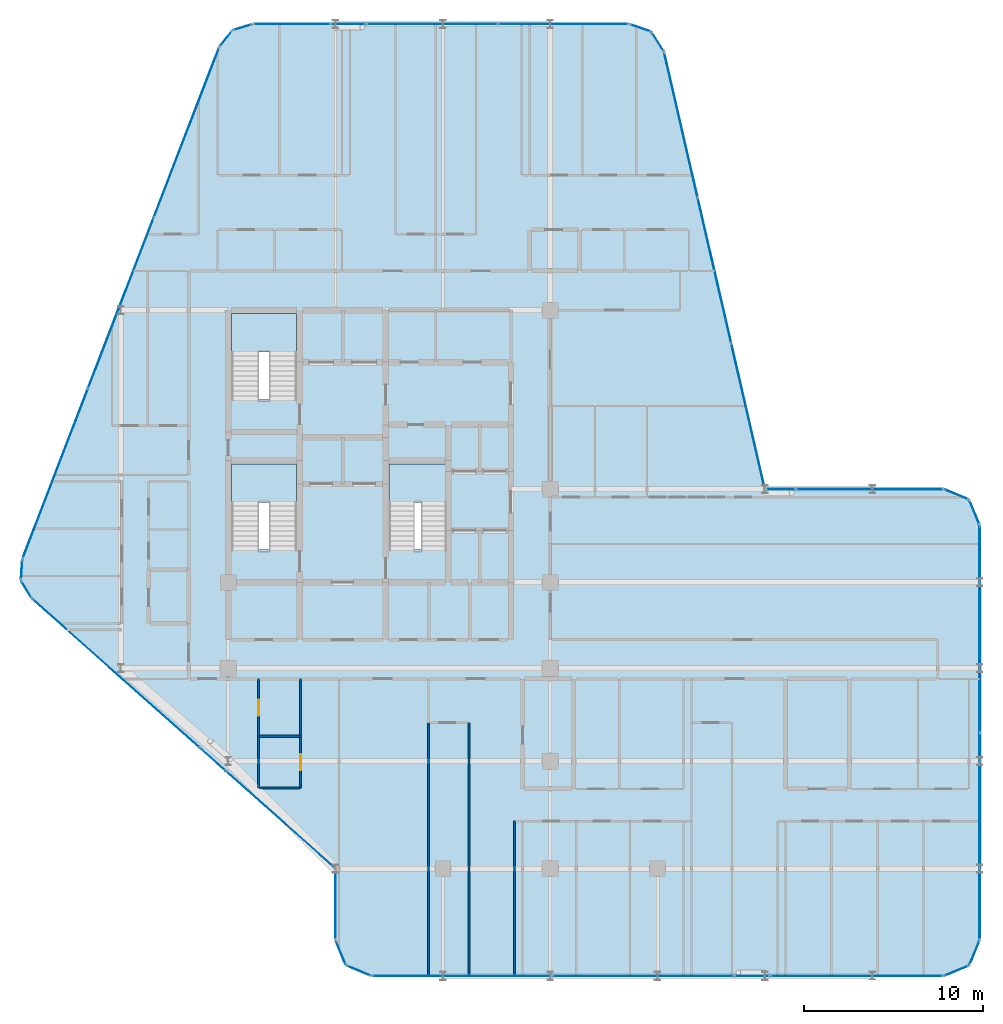
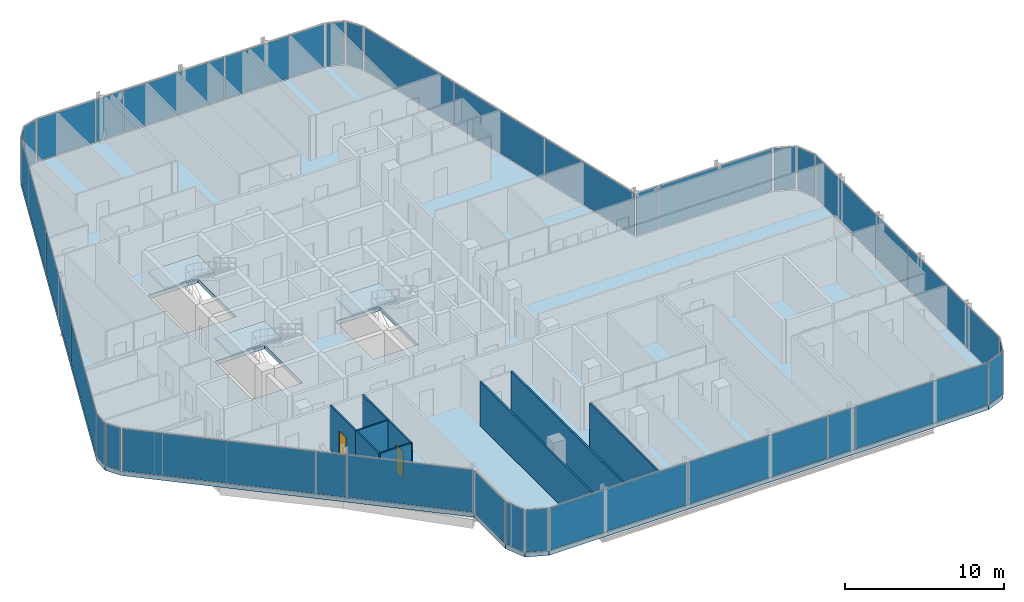
# One storey, part 22 of 29: 34 plates, 9 walls, 4 slabs, 2 doors, 2 openings, 30 elements without a shape of their own.
"""IFC4 building model written with IfcOpenShell, lengths in metres."""

from ifc_helpers import new_model, si_unit, direction, frame, frame_2d, origin, origin_2d, place, context, subcontext, project, spatial, polyline, rectangle, outline, extrude, material, layer, layer_set, type_object, element, fill, aggregate, save


model = new_model("IFC4")

# Units and contexts
model_context = context("Model", 3, precision=1e-05, world=origin(), true_north=direction((0.0, 1.0)))
body_context = subcontext(model_context, "Body", "Model", "MODEL_VIEW")
ifc_project = project(units=[si_unit("LENGTHUNIT", "METRE"), si_unit("AREAUNIT", "SQUARE_METRE"), si_unit("VOLUMEUNIT", "CUBIC_METRE"), si_unit("PLANEANGLEUNIT", "RADIAN"), si_unit("MASSUNIT", "GRAM", prefix="KILO")], contexts=[model_context])

# Site, building, storey
site_placement = place(None, origin())
site = spatial("IfcSite", under=ifc_project, at=site_placement, CompositionType="ELEMENT")
building_placement = place(site_placement, origin())
building = spatial("IfcBuilding", under=site, at=building_placement, Name="Keshet Zoharim Tower", CompositionType="ELEMENT")
storey_placement = place(building_placement, frame((0.0, 0.0, 192.10009765625)))
storey = spatial("IfcBuildingStorey", under=building, at=storey_placement, Name="L47", CompositionType="ELEMENT", Elevation=192.10009765625)

# Curtain wall, plate
ifc_material_1 = material(Name="Aluminium 6063-T6", Category="aluminium")
ifc_layer_1 = layer(ifc_material_1, 0.139892578125)
ifc_layer_set_1 = layer_set([ifc_layer_1], Name="Aluminium 6063-T6")
curtain_wall_type = type_object("IfcCurtainWallType", Name="CW-SYS-05", PredefinedType="NOTDEFINED", material=ifc_layer_set_1)
curtain_wall_1_placement = place(storey_placement, origin())
curtain_wall_1 = element("IfcCurtainWall", 1, at=curtain_wall_1_placement, inside=storey, type_object=curtain_wall_type, Name="L47 Unitised Curtain Wall 01", PredefinedType="NOTDEFINED")
ifc_material_2 = material(Name="Insulated Low-E Clear Glass", Category="glass")
ifc_layer_2 = layer(ifc_material_2, 0.031982421875)
ifc_layer_set_2 = layer_set([ifc_layer_2], Name="Insulated Low-E Clear Glass")
plate_type_1 = type_object("IfcPlateType", Name="CWP-02", PredefinedType="CURTAIN_PANEL", material=ifc_layer_set_2)
plate_1_placement = place(storey_placement, frame((55.70703125, 27.60693359375, 0.06982421875), z_axis=(0.0, 0.0, 1.0), x_axis=(0.92380975372, -0.382851849847, 0.0)))
plate_1 = element("IfcPlate", 2, at=plate_1_placement, type_object=plate_type_1, Name="CW-05 panel 1.1", PredefinedType="CURTAIN_PANEL", context=body_context, shape_type="SweptSolid", body=[
    extrude(rectangle(XDim=1.390625, YDim=0.031982421875, at=origin_2d()), origin(), (0.0, 0.0, 1.0), 3.25),
])
aggregate(curtain_wall_1, [plate_1])

curtain_wall_2_placement = place(storey_placement, origin())
curtain_wall_2 = element("IfcCurtainWall", 3, at=curtain_wall_2_placement, inside=storey, type_object=curtain_wall_type, Name="L47 Unitised Curtain Wall 02", PredefinedType="NOTDEFINED")
plate_2_placement = place(storey_placement, frame((56.70703125, 26.60693359375, 0.06982421875), z_axis=(0.0, 0.0, 1.0), x_axis=(0.382851849847, -0.92380975372, 0.0)))
plate_2 = element("IfcPlate", 4, at=plate_2_placement, type_object=plate_type_1, Name="CW-05 panel 1.1", PredefinedType="CURTAIN_PANEL", context=body_context, shape_type="SweptSolid", body=[
    extrude(rectangle(XDim=1.390625, YDim=0.031982421875, at=origin_2d()), origin(), (0.0, 0.0, 1.0), 3.25),
])
aggregate(curtain_wall_2, [plate_2])

# Curtain wall, plates
curtain_wall_3_placement = place(storey_placement, origin())
curtain_wall_3 = element("IfcCurtainWall", 5, at=curtain_wall_3_placement, inside=storey, type_object=curtain_wall_type, Name="L47 Unitised Curtain Wall 03", PredefinedType="NOTDEFINED")
plate_3_placement = place(storey_placement, frame((57.0, 20.08251953125, 0.06982421875), z_axis=(0.0, 0.0, 1.0), x_axis=(0.0, -1.0, 0.0)))
plate_3 = element("IfcPlate", 6, at=plate_3_placement, type_object=plate_type_1, Name="CW-05 panel 1.1", PredefinedType="CURTAIN_PANEL", context=body_context, shape_type="SweptSolid", body=[
    extrude(rectangle(XDim=11.4951171875, YDim=0.031982421875, at=origin_2d()), origin(), (0.0, 0.0, 1.0), 3.25),
])
plate_4_placement = place(storey_placement, frame((57.0, 8.517578125, 0.06982421875), z_axis=(0.0, 0.0, 1.0), x_axis=(0.0, -1.0, 0.0)))
plate_4 = element("IfcPlate", 7, at=plate_4_placement, type_object=plate_type_1, Name="CW-05 panel 2.1", PredefinedType="CURTAIN_PANEL", context=body_context, shape_type="SweptSolid", body=[
    extrude(rectangle(XDim=11.4951171875, YDim=0.031982421875, at=origin_2d()), origin(), (0.0, 0.0, 1.0), 3.25),
])
aggregate(curtain_wall_3, [plate_3, plate_4])

# Curtain wall, plate
curtain_wall_4_placement = place(storey_placement, origin())
curtain_wall_4 = element("IfcCurtainWall", 8, at=curtain_wall_4_placement, inside=storey, type_object=curtain_wall_type, Name="L47 Unitised Curtain Wall 04", PredefinedType="NOTDEFINED")
plate_5_placement = place(storey_placement, frame((56.70703125, 1.992919921875, 0.06982421875), z_axis=(0.0, 0.0, 1.0), x_axis=(-0.382851849847, -0.92380975372, 0.0)))
plate_5 = element("IfcPlate", 9, at=plate_5_placement, type_object=plate_type_1, Name="CW-05 panel 1.1", PredefinedType="CURTAIN_PANEL", context=body_context, shape_type="SweptSolid", body=[
    extrude(rectangle(XDim=1.390625, YDim=0.031982421875, at=origin_2d()), origin(), (0.0, 0.0, 1.0), 3.25),
])
aggregate(curtain_wall_4, [plate_5])

curtain_wall_5_placement = place(storey_placement, origin())
curtain_wall_5 = element("IfcCurtainWall", 10, at=curtain_wall_5_placement, inside=storey, type_object=curtain_wall_type, Name="L47 Unitised Curtain Wall 05", PredefinedType="NOTDEFINED")
plate_6_placement = place(storey_placement, frame((55.70703125, 0.992919921875, 0.06982421875), z_axis=(0.0, 0.0, 1.0), x_axis=(-0.92380975372, -0.382851849847, 0.0)))
plate_6 = element("IfcPlate", 11, at=plate_6_placement, type_object=plate_type_1, Name="CW-05 panel 1.1", PredefinedType="CURTAIN_PANEL", context=body_context, shape_type="SweptSolid", body=[
    extrude(rectangle(XDim=1.390625, YDim=0.031982421875, at=origin_2d()), origin(), (0.0, 0.0, 1.0), 3.25),
])
aggregate(curtain_wall_5, [plate_6])

curtain_wall_6_placement = place(storey_placement, origin())
curtain_wall_6 = element("IfcCurtainWall", 12, at=curtain_wall_6_placement, inside=storey, type_object=curtain_wall_type, Name="L47 Unitised Curtain Wall 06", PredefinedType="NOTDEFINED")
plate_7_placement = place(storey_placement, frame((50.1240234375, 0.699951171875, 0.06982421875), z_axis=(0.0, 0.0, 1.0), x_axis=(-1.0, 0.0, 0.0)))
plate_7 = element("IfcPlate", 13, at=plate_7_placement, type_object=plate_type_1, Name="CW-05 panel 1.1", PredefinedType="CURTAIN_PANEL", context=body_context, shape_type="SweptSolid", body=[
    extrude(rectangle(XDim=9.61181640625, YDim=0.031982421875, at=origin_2d()), origin(), (0.0, 0.0, 1.0), 3.25),
])
aggregate(curtain_wall_6, [plate_7])

# Curtain wall, plates
curtain_wall_7_placement = place(storey_placement, origin())
curtain_wall_7 = element("IfcCurtainWall", 14, at=curtain_wall_7_placement, inside=storey, type_object=curtain_wall_type, Name="L47 Unitised Curtain Wall 06 Part 3", PredefinedType="NOTDEFINED")
plate_8_placement = place(storey_placement, frame((38.20654296875, 0.699951171875, 0.06982421875), z_axis=(0.0, 0.0, 1.0), x_axis=(-1.0, 0.0, 0.0)))
plate_8 = element("IfcPlate", 15, at=plate_8_placement, type_object=plate_type_1, Name="CW-05 panel 1.1", PredefinedType="CURTAIN_PANEL", context=body_context, shape_type="SweptSolid", body=[
    extrude(rectangle(XDim=10.091064453125, YDim=0.031982421875, at=origin_2d()), origin(), (0.0, 0.0, 1.0), 3.25),
])
plate_9_placement = place(storey_placement, frame((28.08056640625, 0.699951171875, 0.06982421875), z_axis=(0.0, 0.0, 1.0), x_axis=(-1.0, 0.0, 0.0)))
plate_9 = element("IfcPlate", 16, at=plate_9_placement, type_object=plate_type_1, Name="CW-05 panel 2.1", PredefinedType="CURTAIN_PANEL", context=body_context, shape_type="SweptSolid", body=[
    extrude(rectangle(XDim=10.02099609375, YDim=0.031982421875, at=origin_2d()), origin(), (0.0, 0.0, 1.0), 3.25),
])
aggregate(curtain_wall_7, [plate_8, plate_9])

# Curtain wall, plate
curtain_wall_8_placement = place(storey_placement, origin())
curtain_wall_8 = element("IfcCurtainWall", 17, at=curtain_wall_8_placement, inside=storey, type_object=curtain_wall_type, Name="L47 Unitised Curtain Wall 07", PredefinedType="NOTDEFINED")
plate_10_placement = place(storey_placement, frame((22.29296875, 0.992919921875, 0.06982421875), z_axis=(0.0, 0.0, 1.0), x_axis=(-0.92380975372, 0.382851849847, 0.0)))
plate_10 = element("IfcPlate", 18, at=plate_10_placement, type_object=plate_type_1, Name="CW-05 panel 1.1", PredefinedType="CURTAIN_PANEL", context=body_context, shape_type="SweptSolid", body=[
    extrude(rectangle(XDim=1.390625, YDim=0.031982421875, at=origin_2d()), origin(), (0.0, 0.0, 1.0), 3.25),
])
aggregate(curtain_wall_8, [plate_10])

curtain_wall_9_placement = place(storey_placement, origin())
curtain_wall_9 = element("IfcCurtainWall", 19, at=curtain_wall_9_placement, inside=storey, type_object=curtain_wall_type, Name="L47 Unitised Curtain Wall 08", PredefinedType="NOTDEFINED")
plate_11_placement = place(storey_placement, frame((21.29296875, 1.992919921875, 0.06982421875), z_axis=(0.0, 0.0, 1.0), x_axis=(-0.382851849847, 0.92380975372, 0.0)))
plate_11 = element("IfcPlate", 20, at=plate_11_placement, type_object=plate_type_1, Name="CW-05 panel 1.1", PredefinedType="CURTAIN_PANEL", context=body_context, shape_type="SweptSolid", body=[
    extrude(rectangle(XDim=1.390625, YDim=0.031982421875, at=origin_2d()), origin(), (0.0, 0.0, 1.0), 3.25),
])
aggregate(curtain_wall_9, [plate_11])

curtain_wall_10_placement = place(storey_placement, origin())
curtain_wall_10 = element("IfcCurtainWall", 21, at=curtain_wall_10_placement, inside=storey, type_object=curtain_wall_type, Name="L47 Unitised Curtain Wall 09", PredefinedType="NOTDEFINED")
plate_12_placement = place(storey_placement, frame((21.0, 4.699951171875, 0.06982421875), z_axis=(0.0, 0.0, 1.0), x_axis=(0.0, 1.0, 0.0)))
plate_12 = element("IfcPlate", 22, at=plate_12_placement, type_object=plate_type_1, Name="CW-05 panel 1.1", PredefinedType="CURTAIN_PANEL", context=body_context, shape_type="SweptSolid", body=[
    extrude(rectangle(XDim=3.860107421875, YDim=0.031982421875, at=origin_2d()), origin(), (0.0, 0.0, 1.0), 3.25),
])
aggregate(curtain_wall_10, [plate_12])

curtain_wall_11_placement = place(storey_placement, origin())
curtain_wall_11 = element("IfcCurtainWall", 23, at=curtain_wall_11_placement, inside=storey, type_object=curtain_wall_type, Name="L47 Unitised Curtain Wall 10", PredefinedType="NOTDEFINED")
plate_13_placement = place(storey_placement, frame((17.92724609375, 9.431396484375, 0.06982421875), z_axis=(0.0, 0.0, 1.0), x_axis=(-0.74740596379, 0.664367613066, 0.0)))
plate_13 = element("IfcPlate", 24, at=plate_13_placement, type_object=plate_type_1, Name="CW-05 panel 1.1", PredefinedType="CURTAIN_PANEL", context=body_context, shape_type="SweptSolid", body=[
    extrude(rectangle(XDim=8.082763671875, YDim=0.031982421875, at=origin_2d()), origin(), (0.0, 0.0, 1.0), 3.25),
])
aggregate(curtain_wall_11, [plate_13])

curtain_wall_12_placement = place(storey_placement, origin())
curtain_wall_12 = element("IfcCurtainWall", 25, at=curtain_wall_12_placement, inside=storey, type_object=curtain_wall_type, Name="L47 Unitised Curtain Wall 10 Part 3", PredefinedType="NOTDEFINED")
plate_14_placement = place(storey_placement, frame((8.724853515625, 17.611328125, 0.06982421875), z_axis=(0.0, 0.0, 1.0), x_axis=(-0.747406666066, 0.664366823013, 0.0)))
plate_14 = element("IfcPlate", 26, at=plate_14_placement, type_object=plate_type_1, Name="CW-05 panel 1.1", PredefinedType="CURTAIN_PANEL", context=body_context, shape_type="SweptSolid", body=[
    extrude(rectangle(XDim=12.40966796875, YDim=0.031982421875, at=origin_2d()), origin(), (0.0, 0.0, 1.0), 3.25),
])
aggregate(curtain_wall_12, [plate_14])

curtain_wall_13_placement = place(storey_placement, origin())
curtain_wall_13 = element("IfcCurtainWall", 27, at=curtain_wall_13_placement, inside=storey, type_object=curtain_wall_type, Name="L47 Unitised Curtain Wall 11", PredefinedType="NOTDEFINED")
plate_15_placement = place(storey_placement, frame((3.7275390625, 22.291015625, 0.06982421875), z_axis=(0.0, 0.0, 1.0), x_axis=(-0.515604947933, 0.856826433805, 0.0)))
plate_15 = element("IfcPlate", 28, at=plate_15_placement, type_object=plate_type_1, Name="CW-05 panel 1.1", PredefinedType="CURTAIN_PANEL", context=body_context, shape_type="SweptSolid", body=[
    extrude(rectangle(XDim=1.052734375, YDim=0.031982421875, at=origin_2d()), origin(), (0.0, 0.0, 1.0), 3.25),
])
aggregate(curtain_wall_13, [plate_15])

curtain_wall_14_placement = place(storey_placement, origin())
curtain_wall_14 = element("IfcCurtainWall", 29, at=curtain_wall_14_placement, inside=storey, type_object=curtain_wall_type, Name="L47 Unitised Curtain Wall 12", PredefinedType="NOTDEFINED")
plate_16_placement = place(storey_placement, frame((3.45849609375, 23.3974609375, 0.06982421875), z_axis=(0.0, 0.0, 1.0), x_axis=(0.064516859374, 0.997916617186, 0.0)))
plate_16 = element("IfcPlate", 30, at=plate_16_placement, type_object=plate_type_1, Name="CW-05 panel 1.1", PredefinedType="CURTAIN_PANEL", context=body_context, shape_type="SweptSolid", body=[
    extrude(rectangle(XDim=1.053466796875, YDim=0.031982421875, at=origin_2d()), origin(), (0.0, 0.0, 1.0), 3.25),
])
aggregate(curtain_wall_14, [plate_16])

# Curtain wall, plates
curtain_wall_15_placement = place(storey_placement, origin())
curtain_wall_15 = element("IfcCurtainWall", 31, at=curtain_wall_15_placement, inside=storey, type_object=curtain_wall_type, Name="L47 Unitised Curtain Wall 13", PredefinedType="NOTDEFINED")
plate_17_placement = place(storey_placement, frame((5.33837890625, 28.7802734375, 0.06982421875), z_axis=(0.0, 0.0, 1.0), x_axis=(0.358990003907, 0.933341404361, 0.0)))
plate_17 = element("IfcPlate", 32, at=plate_17_placement, type_object=plate_type_1, Name="CW-05 panel 1.1", PredefinedType="CURTAIN_PANEL", context=body_context, shape_type="SweptSolid", body=[
    extrude(rectangle(XDim=10.1181640625, YDim=0.031982421875, at=origin_2d()), origin(), (0.0, 0.0, 1.0), 3.25),
])
plate_18_placement = place(storey_placement, frame((9.001953125, 38.305419921875, 0.06982421875), z_axis=(0.0, 0.0, 1.0), x_axis=(0.358990003907, 0.933341404361, 0.0)))
plate_18 = element("IfcPlate", 33, at=plate_18_placement, type_object=plate_type_1, Name="CW-05 panel 2.1", PredefinedType="CURTAIN_PANEL", context=body_context, shape_type="SweptSolid", body=[
    extrude(rectangle(XDim=10.153076171875, YDim=0.031982421875, at=origin_2d()), origin(), (0.0, 0.0, 1.0), 3.25),
])
plate_19_placement = place(storey_placement, frame((12.665771484375, 47.830810546875, 0.06982421875), z_axis=(0.0, 0.0, 1.0), x_axis=(0.358990003907, 0.933341404361, 0.0)))
plate_19 = element("IfcPlate", 34, at=plate_19_placement, type_object=plate_type_1, Name="CW-05 panel 3.1", PredefinedType="CURTAIN_PANEL", context=body_context, shape_type="SweptSolid", body=[
    extrude(rectangle(XDim=10.1181640625, YDim=0.031982421875, at=origin_2d()), origin(), (0.0, 0.0, 1.0), 3.25),
])
aggregate(curtain_wall_15, [plate_17, plate_18, plate_19])

# Curtain wall, plate
curtain_wall_16_placement = place(storey_placement, origin())
curtain_wall_16 = element("IfcCurtainWall", 35, at=curtain_wall_16_placement, inside=storey, type_object=curtain_wall_type, Name="L47 Unitised Curtain Wall 14", PredefinedType="NOTDEFINED")
plate_20_placement = place(storey_placement, frame((14.8740234375, 53.08349609375, 0.06982421875), z_axis=(0.0, 0.0, 1.0), x_axis=(0.619124525989, 0.785292825205, 0.0)))
plate_20 = element("IfcPlate", 36, at=plate_20_placement, type_object=plate_type_1, Name="CW-05 panel 1.1", PredefinedType="CURTAIN_PANEL", context=body_context, shape_type="SweptSolid", body=[
    extrude(rectangle(XDim=1.045654296875, YDim=0.031982421875, at=origin_2d()), origin(), (0.0, 0.0, 1.0), 3.25),
])
aggregate(curtain_wall_16, [plate_20])

curtain_wall_17_placement = place(storey_placement, origin())
curtain_wall_17 = element("IfcCurtainWall", 37, at=curtain_wall_17_placement, inside=storey, type_object=curtain_wall_type, Name="L47 Unitised Curtain Wall 15", PredefinedType="NOTDEFINED")
plate_21_placement = place(storey_placement, frame((15.8076171875, 53.724609375, 0.06982421875), z_axis=(0.0, 0.0, 1.0), x_axis=(0.955212151288, 0.295921857984, 0.0)))
plate_21 = element("IfcPlate", 38, at=plate_21_placement, type_object=plate_type_1, Name="CW-05 panel 1.1", PredefinedType="CURTAIN_PANEL", context=body_context, shape_type="SweptSolid", body=[
    extrude(rectangle(XDim=1.046142578125, YDim=0.031982421875, at=origin_2d()), origin(), (0.0, 0.0, 1.0), 3.25),
])
aggregate(curtain_wall_17, [plate_21])

curtain_wall_18_placement = place(storey_placement, origin())
curtain_wall_18 = element("IfcCurtainWall", 39, at=curtain_wall_18_placement, inside=storey, type_object=curtain_wall_type, Name="L47 Unitised Curtain Wall 16", PredefinedType="NOTDEFINED")
plate_22_placement = place(storey_placement, frame((18.56298828125, 53.89990234375, 0.06982421875), z_axis=(0.0, 0.0, 1.0), x_axis=(1.0, 0.0, 0.0)))
plate_22 = element("IfcPlate", 40, at=plate_22_placement, type_object=plate_type_1, Name="CW-05 panel 1.1", PredefinedType="CURTAIN_PANEL", context=body_context, shape_type="SweptSolid", body=[
    extrude(rectangle(XDim=4.23779296875, YDim=0.031982421875, at=origin_2d()), origin(), (0.0, 0.0, 1.0), 3.25),
])
aggregate(curtain_wall_18, [plate_22])

# Curtain wall, plates
curtain_wall_19_placement = place(storey_placement, origin())
curtain_wall_19 = element("IfcCurtainWall", 41, at=curtain_wall_19_placement, inside=storey, type_object=curtain_wall_type, Name="L47 Unitised Curtain Wall 16 Part 3", PredefinedType="NOTDEFINED")
plate_23_placement = place(storey_placement, frame((26.395751953125, 53.89990234375, 0.06982421875), z_axis=(0.0, 0.0, 1.0), x_axis=(1.0, 0.0, 0.0)))
plate_23 = element("IfcPlate", 42, at=plate_23_placement, type_object=plate_type_1, Name="CW-05 panel 1.1", PredefinedType="CURTAIN_PANEL", context=body_context, shape_type="SweptSolid", body=[
    extrude(rectangle(XDim=7.29541015625, YDim=0.031982421875, at=origin_2d()), origin(), (0.0, 0.0, 1.0), 3.25),
])
plate_24_placement = place(storey_placement, frame((33.726318359375, 53.89990234375, 0.06982421875), z_axis=(0.0, 0.0, 1.0), x_axis=(1.0, 0.0, 0.0)))
plate_24 = element("IfcPlate", 43, at=plate_24_placement, type_object=plate_type_1, Name="CW-05 panel 2.1", PredefinedType="CURTAIN_PANEL", context=body_context, shape_type="SweptSolid", body=[
    extrude(rectangle(XDim=7.225341796875, YDim=0.031982421875, at=origin_2d()), origin(), (0.0, 0.0, 1.0), 3.25),
])
aggregate(curtain_wall_19, [plate_23, plate_24])

# Curtain wall, plate
curtain_wall_20_placement = place(storey_placement, origin())
curtain_wall_20 = element("IfcCurtainWall", 44, at=curtain_wall_20_placement, inside=storey, type_object=curtain_wall_type, Name="L47 Unitised Curtain Wall 17", PredefinedType="NOTDEFINED")
plate_25_placement = place(storey_placement, frame((38.031494140625, 53.6826171875, 0.06982421875), z_axis=(0.0, 0.0, 1.0), x_axis=(0.944035542119, -0.329843743636, 0.0)))
plate_25 = element("IfcPlate", 45, at=plate_25_placement, type_object=plate_type_1, Name="CW-05 panel 1.1", PredefinedType="CURTAIN_PANEL", context=body_context, shape_type="SweptSolid", body=[
    extrude(rectangle(XDim=1.1787109375, YDim=0.031982421875, at=origin_2d()), origin(), (0.0, 0.0, 1.0), 3.25),
])
aggregate(curtain_wall_20, [plate_25])

curtain_wall_21_placement = place(storey_placement, origin())
curtain_wall_21 = element("IfcCurtainWall", 46, at=curtain_wall_21_placement, inside=storey, type_object=curtain_wall_type, Name="L47 Unitised Curtain Wall 18", PredefinedType="NOTDEFINED")
plate_26_placement = place(storey_placement, frame((39.006103515625, 52.907470703125, 0.06982421875), z_axis=(0.0, 0.0, 1.0), x_axis=(0.533878858502, -0.845560976183, 0.0)))
plate_26 = element("IfcPlate", 47, at=plate_26_placement, type_object=plate_type_1, Name="CW-05 panel 1.1", PredefinedType="CURTAIN_PANEL", context=body_context, shape_type="SweptSolid", body=[
    extrude(rectangle(XDim=1.1787109375, YDim=0.031982421875, at=origin_2d()), origin(), (0.0, 0.0, 1.0), 3.25),
])
aggregate(curtain_wall_21, [plate_26])

# Curtain wall, plates
curtain_wall_22_placement = place(storey_placement, origin())
curtain_wall_22 = element("IfcCurtainWall", 48, at=curtain_wall_22_placement, inside=storey, type_object=curtain_wall_type, Name="L47 Unitised Curtain Wall 19", PredefinedType="NOTDEFINED")
plate_27_placement = place(storey_placement, frame((40.30224609375, 48.258056640625, 0.06982421875), z_axis=(0.0, 0.0, 1.0), x_axis=(0.224847864369, -0.974393882313, 0.0)))
plate_27 = element("IfcPlate", 49, at=plate_27_placement, type_object=plate_type_1, Name="CW-05 panel 1.1", PredefinedType="CURTAIN_PANEL", context=body_context, shape_type="SweptSolid", body=[
    extrude(rectangle(XDim=8.25927734375, YDim=0.031982421875, at=origin_2d()), origin(), (0.0, 0.0, 1.0), 3.25),
])
plate_28_placement = place(storey_placement, frame((42.178955078125, 40.125, 0.06982421875), z_axis=(0.0, 0.0, 1.0), x_axis=(0.224847864369, -0.974393882313, 0.0)))
plate_28 = element("IfcPlate", 50, at=plate_28_placement, type_object=plate_type_1, Name="CW-05 panel 2.1", PredefinedType="CURTAIN_PANEL", context=body_context, shape_type="SweptSolid", body=[
    extrude(rectangle(XDim=8.294189453125, YDim=0.031982421875, at=origin_2d()), origin(), (0.0, 0.0, 1.0), 3.25),
])
plate_29_placement = place(storey_placement, frame((44.0556640625, 31.991943359375, 0.06982421875), z_axis=(0.0, 0.0, 1.0), x_axis=(0.224847864369, -0.974393882313, 0.0)))
plate_29 = element("IfcPlate", 51, at=plate_29_placement, type_object=plate_type_1, Name="CW-05 panel 3.1", PredefinedType="CURTAIN_PANEL", context=body_context, shape_type="SweptSolid", body=[
    extrude(rectangle(XDim=8.25927734375, YDim=0.031982421875, at=origin_2d()), origin(), (0.0, 0.0, 1.0), 3.25),
])
aggregate(curtain_wall_22, [plate_27, plate_28, plate_29])

# Curtain wall, plate
curtain_wall_23_placement = place(storey_placement, origin())
curtain_wall_23 = element("IfcCurtainWall", 52, at=curtain_wall_23_placement, inside=storey, type_object=curtain_wall_type, Name="L47 Unitised Curtain Wall 20 Part 2", PredefinedType="NOTDEFINED")
plate_30_placement = place(storey_placement, frame((50.839111328125, 27.89990234375, 0.06982421875), z_axis=(0.0, 0.0, 1.0), x_axis=(1.0, 0.0, 0.0)))
plate_30 = element("IfcPlate", 53, at=plate_30_placement, type_object=plate_type_1, Name="CW-05 panel 1.1", PredefinedType="CURTAIN_PANEL", context=body_context, shape_type="SweptSolid", body=[
    extrude(rectangle(XDim=8.181884765625, YDim=0.031982421875, at=origin_2d()), origin(), (0.0, 0.0, 1.0), 3.25),
])
aggregate(curtain_wall_23, [plate_30])

curtain_wall_24_placement = place(storey_placement, origin())
curtain_wall_24 = element("IfcCurtainWall", 54, at=curtain_wall_24_placement, inside=storey, type_object=curtain_wall_type, Name="L47 Unitised Curtain Wall 06 Part 2", PredefinedType="NOTDEFINED")
ifc_material_3 = material(Name="Insulated Aluminium Spandrel Panel", Category="aluminium")
ifc_layer_3 = layer(ifc_material_3, 0.031982421875)
ifc_layer_set_3 = layer_set([ifc_layer_3], Name="Insulated Aluminium Spandrel Panel")
plate_type_2 = type_object("IfcPlateType", Name="CWP-05", PredefinedType="CURTAIN_PANEL", material=ifc_layer_set_3)
plate_31_placement = place(storey_placement, frame((44.284912109375, 0.699951171875, 0.06982421875), z_axis=(0.0, 0.0, 1.0), x_axis=(-1.0, 0.0, 0.0)))
plate_31 = element("IfcPlate", 55, at=plate_31_placement, type_object=plate_type_2, Name="CW-05 spandrel panel 1.1", PredefinedType="CURTAIN_PANEL", context=body_context, shape_type="SweptSolid", body=[
    extrude(rectangle(XDim=1.92626953125, YDim=0.031982421875, at=origin_2d()), origin(), (0.0, 0.0, 1.0), 3.25),
])
aggregate(curtain_wall_24, [plate_31])

curtain_wall_25_placement = place(storey_placement, origin())
curtain_wall_25 = element("IfcCurtainWall", 56, at=curtain_wall_25_placement, inside=storey, type_object=curtain_wall_type, Name="L47 Unitised Curtain Wall 10 Part 2", PredefinedType="NOTDEFINED")
plate_32_placement = place(storey_placement, frame((14.134521484375, 12.802734375, 0.06982421875), z_axis=(0.0, 0.0, 1.0), x_axis=(-0.747439721297, 0.664329634314, 0.0)))
plate_32 = element("IfcPlate", 57, at=plate_32_placement, type_object=plate_type_2, Name="CW-05 spandrel panel 1.1", PredefinedType="CURTAIN_PANEL", context=body_context, shape_type="SweptSolid", body=[
    extrude(rectangle(XDim=1.92626953125, YDim=0.031982421875, at=origin_2d()), origin(), (0.0, 0.0, 1.0), 3.25),
])
aggregate(curtain_wall_25, [plate_32])

curtain_wall_26_placement = place(storey_placement, origin())
curtain_wall_26 = element("IfcCurtainWall", 58, at=curtain_wall_26_placement, inside=storey, type_object=curtain_wall_type, Name="L47 Unitised Curtain Wall 16 Part 2", PredefinedType="NOTDEFINED")
plate_33_placement = place(storey_placement, frame((21.715087890625, 53.89990234375, 0.06982421875), z_axis=(0.0, 0.0, 1.0), x_axis=(1.0, 0.0, 0.0)))
plate_33 = element("IfcPlate", 59, at=plate_33_placement, type_object=plate_type_2, Name="CW-05 spandrel panel 1.1", PredefinedType="CURTAIN_PANEL", context=body_context, shape_type="SweptSolid", body=[
    extrude(rectangle(XDim=1.92626953125, YDim=0.031982421875, at=origin_2d()), origin(), (0.0, 0.0, 1.0), 3.25),
])
aggregate(curtain_wall_26, [plate_33])

curtain_wall_27_placement = place(storey_placement, origin())
curtain_wall_27 = element("IfcCurtainWall", 60, at=curtain_wall_27_placement, inside=storey, type_object=curtain_wall_type, Name="L47 Unitised Curtain Wall 20", PredefinedType="NOTDEFINED")
plate_34_placement = place(storey_placement, frame((45.8740234375, 27.89990234375, 0.06982421875), z_axis=(0.0, 0.0, 1.0), x_axis=(1.0, 0.0, 0.0)))
plate_34 = element("IfcPlate", 61, at=plate_34_placement, type_object=plate_type_2, Name="CW-05 spandrel panel 1.1", PredefinedType="CURTAIN_PANEL", context=body_context, shape_type="SweptSolid", body=[
    extrude(rectangle(XDim=1.608154296875, YDim=0.031982421875, at=origin_2d()), origin(), (0.0, 0.0, 1.0), 3.25),
])
aggregate(curtain_wall_27, [plate_34])

# Stair, slab
ifc_material_4 = material(Name="Concrete C50/60", Category="concrete")
stair_type = type_object("IfcStairType", Name="STR-EXIT-135", PredefinedType="HALF_TURN_STAIR", material=ifc_material_4)
stair_1_placement = place(storey_placement, origin())
stair_1 = element("IfcStair", 62, at=stair_1_placement, inside=storey, type_object=stair_type, Name="L47 Enclosed Exit Stair ST-01", PredefinedType="HALF_TURN_STAIR")
ifc_layer_4 = layer(ifc_material_4, 0.199951171875)
ifc_layer_set_4 = layer_set([ifc_layer_4], Name="Concrete C50/60")
slab_type_1 = type_object("IfcSlabType", Name="SLB-LND-200", PredefinedType="LANDING", material=ifc_layer_set_4)
slab_1_placement = place(storey_placement, frame((0.0, 0.0, 1.64990234375)))
slab_1 = element("IfcSlab", 63, at=slab_1_placement, type_object=slab_type_1, Name="ST-01 landing 1", PredefinedType="LANDING", context=body_context, shape_type="SweptSolid", body=[
    extrude(outline(polyline([(15.179931640625, 27.159912109375), (18.820068359375, 27.159912109375), (18.820068359375, 29.320068359375), (15.179931640625, 29.320068359375), (15.179931640625, 27.159912109375)])), origin(), (0.0, 0.0, 1.0), 0.199951171875),
])
aggregate(stair_1, [slab_1])

stair_2_placement = place(storey_placement, origin())
stair_2 = element("IfcStair", 64, at=stair_2_placement, inside=storey, type_object=stair_type, Name="L47 Enclosed Exit Stair ST-02", PredefinedType="HALF_TURN_STAIR")
slab_2_placement = place(storey_placement, frame((0.0, 0.0, 1.64990234375)))
slab_2 = element("IfcSlab", 65, at=slab_2_placement, type_object=slab_type_1, Name="ST-02 landing 1", PredefinedType="LANDING", context=body_context, shape_type="SweptSolid", body=[
    extrude(outline(polyline([(15.179931640625, 35.56005859375), (18.820068359375, 35.56005859375), (18.820068359375, 37.719970703125), (15.179931640625, 37.719970703125), (15.179931640625, 35.56005859375)])), origin(), (0.0, 0.0, 1.0), 0.199951171875),
])
aggregate(stair_2, [slab_2])

stair_3_placement = place(storey_placement, origin())
stair_3 = element("IfcStair", 66, at=stair_3_placement, inside=storey, type_object=stair_type, Name="L47 Enclosed Exit Stair ST-03", PredefinedType="HALF_TURN_STAIR")
slab_3_placement = place(storey_placement, frame((0.0, 0.0, 1.64990234375)))
slab_3 = element("IfcSlab", 67, at=slab_3_placement, type_object=slab_type_1, Name="ST-03 landing 1", PredefinedType="LANDING", context=body_context, shape_type="SweptSolid", body=[
    extrude(outline(polyline([(23.97998046875, 27.159912109375), (27.219970703125, 27.159912109375), (27.219970703125, 29.320068359375), (23.97998046875, 29.320068359375), (23.97998046875, 27.159912109375)])), origin(), (0.0, 0.0, 1.0), 0.199951171875),
])
aggregate(stair_3, [slab_3])

# Slab
ifc_layer_5 = layer(ifc_material_4, 0.31005859375)
ifc_layer_set_5 = layer_set([ifc_layer_5], Name="Concrete C50/60")
slab_type_2 = type_object("IfcSlabType", Name="SLB-UPP-240", PredefinedType="FLOOR", material=ifc_layer_set_5)
slab_4_placement = place(storey_placement, frame((0.0, 0.0, -0.31005859375)))
element("IfcSlab", 68, at=slab_4_placement, inside=storey, type_object=slab_type_2, Name="L47 Structural Floor Slab 1", PredefinedType="FLOOR", context=body_context, shape_type="SweptSolid", body=[
    extrude(outline(polyline([(55.0, 27.89990234375), (56.4140625, 27.31396484375), (57.0, 25.89990234375), (57.0, 2.699951171875), (56.4140625, 1.285888671875), (55.0, 0.699951171875), (23.0, 0.699951171875), (21.5859375, 1.285888671875), (21.0, 2.699951171875), (21.0, 6.699951171875), (4.034912109375, 21.780029296875), (3.419921875, 22.802001953125), (3.4970703125, 23.992919921875), (14.507080078125, 52.617919921875), (15.240966796875, 53.549072265625), (16.3740234375, 53.89990234375), (37.408935546875, 53.89990234375), (38.654052734375, 53.465087890625), (39.35791015625, 52.35009765625), (45.0, 27.89990234375), (55.0, 27.89990234375)]), holes=[polyline([(15.179931640625, 24.52001953125), (18.820068359375, 24.52001953125), (18.820068359375, 29.320068359375), (15.179931640625, 29.320068359375), (15.179931640625, 24.52001953125)]), polyline([(15.179931640625, 32.919921875), (18.820068359375, 32.919921875), (18.820068359375, 37.719970703125), (15.179931640625, 37.719970703125), (15.179931640625, 32.919921875)]), polyline([(23.97998046875, 24.52001953125), (27.219970703125, 24.52001953125), (27.219970703125, 29.320068359375), (23.97998046875, 29.320068359375), (23.97998046875, 24.52001953125)])]), origin(), (0.0, 0.0, 1.0), 0.31005859375),
])

# Wall, opening, door
ifc_material_5 = material(Name="Gypsum Plasterboard", Category="gypsum")
ifc_layer_6 = layer(ifc_material_5, 0.1201171875)
ifc_layer_set_6 = layer_set([ifc_layer_6], Name="Gypsum Plasterboard")
wall_type_1 = type_object("IfcWallType", Name="WL-PART-120", PredefinedType="PARTITIONING", material=ifc_layer_set_6)
wall_1_placement = place(storey_placement, frame((16.699951171875, 14.10009765625, 0.0), z_axis=(0.0, 0.0, 1.0), x_axis=(0.0, 1.0, 0.0)))
wall_1 = element("IfcWall", 69, at=wall_1_placement, inside=storey, type_object=wall_type_1, Name="L47 Interior Wall 021", PredefinedType="PARTITIONING", context=body_context, shape_type="SweptSolid", body=[
    extrude(rectangle(XDim=3.199951171875, YDim=0.1201171875, at=frame_2d((1.60009765625, 0.0))), origin(), (0.0, 0.0, 1.0), 3.389892578125),
])
opening_1_placement = place(wall_1_placement, frame((1.14990234375, 0.0, 0.0)))
opening_1 = element("IfcOpeningElement", 70, at=opening_1_placement, cuts=wall_1, Name="Opening D-IN90", PredefinedType="OPENING", context=body_context, shape_type="SweptSolid", body=[
    extrude(rectangle(XDim=0.89990234375, YDim=2.14990234375, at=frame_2d((0.449951171875, 1.074951171875))), frame((0.0, 0.070068359375, 0.0), z_axis=(0.0, -1.0, 0.0), x_axis=(1.0, 0.0, 0.0)), (0.0, 0.0, 1.0), 0.14013671875),
])
ifc_material_6 = material(Name="Hardwood Timber", Category="wood")
door_type_1 = type_object("IfcDoorType", Name="DR-INT-090", OperationType="NOTDEFINED", PredefinedType="DOOR", material=ifc_material_6)
door_1_placement = place(opening_1_placement, origin())
door_1 = element("IfcDoor", 71, at=door_1_placement, inside=storey, type_object=door_type_1, Name="Apartment 4701 Kitchenette Door", OperationType="SINGLE_SWING_LEFT", OverallHeight=2.14990234375, OverallWidth=0.89990234375, PredefinedType="DOOR", context=body_context, shape_type="SweptSolid", body=[
    extrude(rectangle(XDim=0.89990234375, YDim=2.14990234375, at=frame_2d((0.449951171875, 1.074951171875))), frame((0.0, 0.02490234375, 0.0), z_axis=(0.0, -1.0, 0.0), x_axis=(1.0, 0.0, 0.0)), (0.0, 0.0, 1.0), 0.050048828125),
])
fill(opening_1, door_1)

# Walls
wall_2_placement = place(storey_placement, frame((19.050048828125, 14.10009765625, 0.0), z_axis=(0.0, 0.0, 1.0), x_axis=(0.0, 1.0, 0.0)))
element("IfcWall", 72, at=wall_2_placement, inside=storey, type_object=wall_type_1, Name="L47 Interior Wall 030", PredefinedType="PARTITIONING", context=body_context, shape_type="SweptSolid", body=[
    extrude(rectangle(XDim=3.199951171875, YDim=0.1201171875, at=frame_2d((1.60009765625, 0.0))), origin(), (0.0, 0.0, 1.0), 3.389892578125),
])
for number, where, z_axis, x_axis, name in (
    (73, (26.199951171875, 0.7099609375, 0.0), (0.0, 0.0, 1.0), (0.0, 1.0, 0.0), "L47 Interior Wall 045"),
    (74, (28.449951171875, 0.7099609375, 0.0), (0.0, 0.0, 1.0), (0.0, 1.0, 0.0), "L47 Interior Wall 055"),
):
    element("IfcWall", number, at=place(storey_placement, frame(where, z_axis=z_axis, x_axis=x_axis)), inside=storey, type_object=wall_type_1, Name=name, PredefinedType="PARTITIONING", context=body_context, shape_type="SweptSolid", body=[
        extrude(rectangle(XDim=14.14013671875, YDim=0.1201171875, at=frame_2d((7.070068359375, 0.0))), origin(), (0.0, 0.0, 1.0), 3.389892578125),
    ])
wall_3_placement = place(storey_placement, frame((31.0, 0.7099609375, 0.0), z_axis=(0.0, 0.0, 1.0), x_axis=(0.0, 1.0, 0.0)))
element("IfcWall", 75, at=wall_3_placement, inside=storey, type_object=wall_type_1, Name="L47 Interior Wall 066", PredefinedType="PARTITIONING", context=body_context, shape_type="SweptSolid", body=[
    extrude(rectangle(XDim=8.64013671875, YDim=0.1201171875, at=frame_2d((4.320068359375, 0.0))), origin(), (0.0, 0.0, 1.0), 3.389892578125),
])
ifc_layer_7 = layer(ifc_material_5, 0.1201171875)
ifc_layer_set_7 = layer_set([ifc_layer_7], Name="Gypsum Plasterboard")
wall_type_2 = type_object("IfcWallType", Name="WL-WET-120", PredefinedType="PARTITIONING", material=ifc_layer_set_7)
wall_4_placement = place(storey_placement, frame((16.699951171875, 11.199951171875, 0.0), z_axis=(0.0, 0.0, 1.0), x_axis=(0.0, 1.0, 0.0)))
element("IfcWall", 76, at=wall_4_placement, inside=storey, type_object=wall_type_2, Name="L47 Interior Wall 020", PredefinedType="PARTITIONING", context=body_context, shape_type="SweptSolid", body=[
    extrude(rectangle(XDim=2.900146484375, YDim=0.1201171875, at=frame_2d((1.4501953125, 0.0))), origin(), (0.0, 0.0, 1.0), 3.389892578125),
])

# Wall, opening, door
wall_5_placement = place(storey_placement, frame((19.050048828125, 11.199951171875, 0.0), z_axis=(0.0, 0.0, 1.0), x_axis=(0.0, 1.0, 0.0)))
wall_5 = element("IfcWall", 77, at=wall_5_placement, inside=storey, type_object=wall_type_2, Name="L47 Interior Wall 029", PredefinedType="PARTITIONING", context=body_context, shape_type="SweptSolid", body=[
    extrude(rectangle(XDim=2.900146484375, YDim=0.1201171875, at=frame_2d((1.4501953125, 0.0))), origin(), (0.0, 0.0, 1.0), 3.389892578125),
])
opening_2_placement = place(wall_5_placement, frame((1.0, 0.0, 0.0)))
opening_2 = element("IfcOpeningElement", 78, at=opening_2_placement, cuts=wall_5, Name="Opening D-WT90", PredefinedType="OPENING", context=body_context, shape_type="SweptSolid", body=[
    extrude(rectangle(XDim=0.89990234375, YDim=2.10009765625, at=frame_2d((0.449951171875, 1.050048828125))), frame((0.0, 0.070068359375, 0.0), z_axis=(0.0, -1.0, 0.0), x_axis=(1.0, 0.0, 0.0)), (0.0, 0.0, 1.0), 0.14013671875),
])
door_type_2 = type_object("IfcDoorType", Name="DR-WET-090", OperationType="NOTDEFINED", PredefinedType="DOOR", material=ifc_material_6)
door_2_placement = place(opening_2_placement, origin())
door_2 = element("IfcDoor", 79, at=door_2_placement, inside=storey, type_object=door_type_2, Name="Apartment 4701 Bathroom Door", OperationType="SINGLE_SWING_RIGHT", OverallHeight=2.10009765625, OverallWidth=0.89990234375, PredefinedType="DOOR", context=body_context, shape_type="SweptSolid", body=[
    extrude(rectangle(XDim=0.89990234375, YDim=2.10009765625, at=frame_2d((0.449951171875, 1.050048828125))), frame((0.0, 0.02490234375, 0.0), z_axis=(0.0, -1.0, 0.0), x_axis=(1.0, 0.0, 0.0)), (0.0, 0.0, 1.0), 0.050048828125),
])
fill(opening_2, door_2)

# Walls
for number, where, z_axis, x_axis, name in (
    (80, (16.7451171875, 11.199951171875, 0.0), (0.0, 0.0, 1.0), (1.0, 0.0, 0.0), "L47 Interior Wall 115"),
    (81, (16.7451171875, 14.10009765625, 0.0), (0.0, 0.0, 1.0), (1.0, 0.0, 0.0), "L47 Interior Wall 116"),
):
    element("IfcWall", number, at=place(storey_placement, frame(where, z_axis=z_axis, x_axis=x_axis)), inside=storey, type_object=wall_type_2, Name=name, PredefinedType="PARTITIONING", context=body_context, shape_type="SweptSolid", body=[
        extrude(rectangle(XDim=2.259765625, YDim=0.1201171875, at=frame_2d((1.1298828125, 0.0))), origin(), (0.0, 0.0, 1.0), 3.389892578125),
    ])

save(model, "model.ifc")
